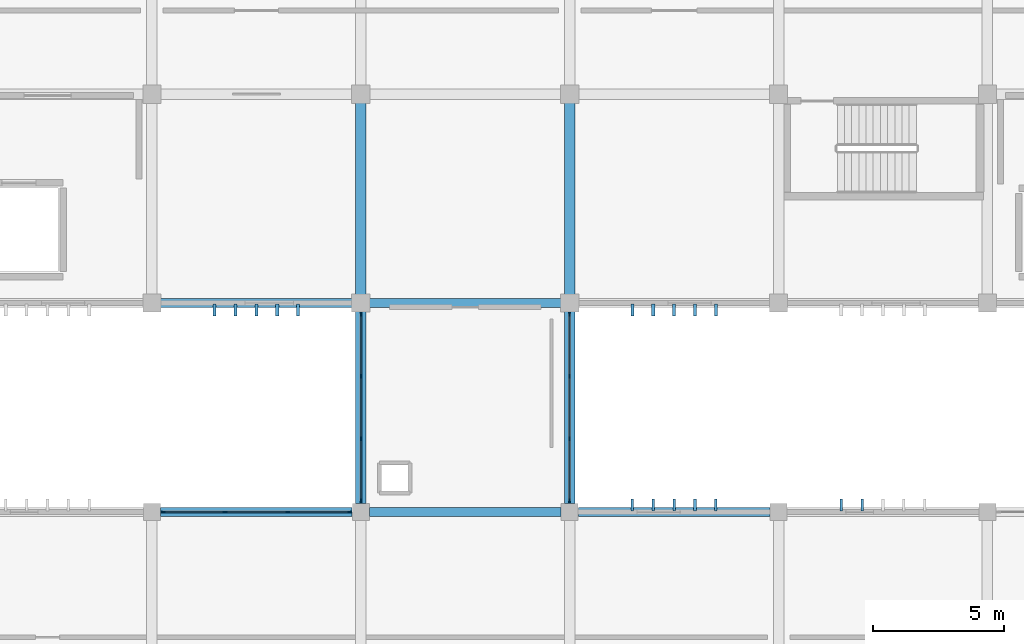
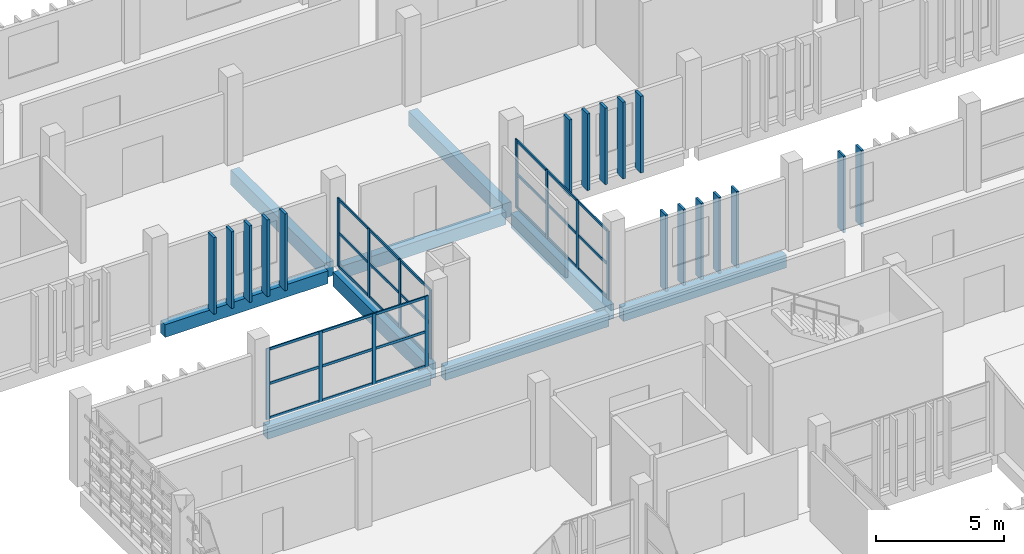
# One storey, part 46 of 83: 56 members, 9 beams, 3 elements without a shape of their own.
"""IFC4 building model written with IfcOpenShell, lengths in metres."""

from ifc_helpers import new_model, si_unit, direction, frame, origin, origin_2d, place, context, subcontext, project, spatial, rectangle, extrude, material, layer, layer_set, material_profile, profile_set, type_object, element, aggregate, save


model = new_model("IFC4")

# Units and contexts
model_context = context("Model", 3, precision=1e-05, world=origin(), true_north=direction((0.0, 1.0)))
body_context = subcontext(model_context, "Body", "Model", "MODEL_VIEW")
ifc_project = project(units=[si_unit("LENGTHUNIT", "METRE"), si_unit("AREAUNIT", "SQUARE_METRE"), si_unit("VOLUMEUNIT", "CUBIC_METRE"), si_unit("PLANEANGLEUNIT", "RADIAN"), si_unit("MASSUNIT", "GRAM", prefix="KILO")], contexts=[model_context])

# Site, building, storey
site_placement = place(None, origin())
site = spatial("IfcSite", under=ifc_project, at=site_placement, CompositionType="ELEMENT")
building_placement = place(site_placement, origin())
building = spatial("IfcBuilding", under=site, at=building_placement, Name="Jelvoka-Kovrelna Polytechnic", CompositionType="ELEMENT")
storey_placement = place(building_placement, frame((0.0, 0.0, 13.800048828125)))
storey = spatial("IfcBuildingStorey", under=building, at=storey_placement, Name="L04", CompositionType="ELEMENT", Elevation=13.800048828125)

# Beams
ifc_material_1 = material(Name="Concrete C40/50", Category="concrete")
ifc_material_profile_1 = material_profile(ifc_material_1, rectangle(XDim=0.39990234375, YDim=0.699951171875, at=origin_2d()), Name="RC 400x700")
ifc_profile_set_1 = profile_set([ifc_material_profile_1], Name="Concrete C40/50")
beam_type_1 = type_object("IfcBeamType", Name="Beam_RC_400x700", PredefinedType="BEAM", material=ifc_profile_set_1)
for number, where, z_axis, x_axis, name in (
    (1, (144.0, 56.330078125, -0.60009765625), (0.0, 1.0, 0.0), (-1.0, 0.0, 0.0), "L04 beam 1328"),
    (2, (152.0, 56.330078125, -0.60009765625), (0.0, 1.0, 0.0), (-1.0, 0.0, 0.0), "L04 beam 1330"),
    (3, (144.0, 48.330078125, -0.60009765625), (0.0, 1.0, 0.0), (-1.0, 0.0, 0.0), "L04 beam 1365"),
    (4, (152.0, 48.330078125, -0.60009765625), (0.0, 1.0, 0.0), (-1.0, 0.0, 0.0), "L04 beam 1366"),
):
    element("IfcBeam", number, at=place(storey_placement, frame(where, z_axis=z_axis, x_axis=x_axis)), inside=storey, type_object=beam_type_1, Name=name, PredefinedType="BEAM", context=body_context, shape_type="SweptSolid", body=[
        extrude(rectangle(XDim=0.39990234375, YDim=0.699951171875, at=origin_2d()), origin(), (0.0, 0.0, 1.0), 7.33984375),
    ])

# Members
ifc_material_2 = material(Name="Precast concrete C40/50", Category="concrete")
ifc_material_profile_2 = material_profile(ifc_material_2, rectangle(XDim=0.10009765625, YDim=0.449951171875, at=origin_2d()), Name="PC 100x450")
ifc_profile_set_2 = profile_set([ifc_material_profile_2], Name="Precast concrete C40/50")
member_type_1 = type_object("IfcMemberType", Name="Louvre_Fin_100x450", PredefinedType="USERDEFINED", material=ifc_profile_set_2)
for number, where, z_axis, x_axis, name in (
    (5, (154.39990234375, 48.264892578125, -0.27001953125), (0.0, 0.0, 1.0), (1.0, 0.0, 0.0), "L04 B2E north vertical solar louvre fin 0991"),
    (6, (155.199951171875, 48.264892578125, -0.27001953125), (0.0, 0.0, 1.0), (1.0, 0.0, 0.0), "L04 B2E north vertical solar louvre fin 0992"),
    (7, (156.0, 48.264892578125, -0.27001953125), (0.0, 0.0, 1.0), (1.0, 0.0, 0.0), "L04 B2E north vertical solar louvre fin 0993"),
    (8, (156.800048828125, 48.264892578125, -0.27001953125), (0.0, 0.0, 1.0), (1.0, 0.0, 0.0), "L04 B2E north vertical solar louvre fin 0994"),
    (9, (157.60009765625, 48.264892578125, -0.27001953125), (0.0, 0.0, 1.0), (1.0, 0.0, 0.0), "L04 B2E north vertical solar louvre fin 0995"),
    (10, (162.39990234375, 48.264892578125, -0.27001953125), (0.0, 0.0, 1.0), (1.0, 0.0, 0.0), "L04 B2E north vertical solar louvre fin 0996"),
    (11, (163.199951171875, 48.264892578125, -0.27001953125), (0.0, 0.0, 1.0), (1.0, 0.0, 0.0), "L04 B2E north vertical solar louvre fin 0997"),
):
    element("IfcMember", number, at=place(storey_placement, frame(where, z_axis=z_axis, x_axis=x_axis)), inside=storey, type_object=member_type_1, Name=name, ObjectType="SUNSHADE", PredefinedType="USERDEFINED", context=body_context, shape_type="SweptSolid", body=[
        extrude(rectangle(XDim=0.10009765625, YDim=0.449951171875, at=origin_2d()), origin(), (0.0, 0.0, 1.0), 3.64501953125),
    ])
ifc_material_3 = material(Name="Precast concrete C40/50", Category="concrete")
ifc_material_profile_3 = material_profile(ifc_material_3, rectangle(XDim=0.1201171875, YDim=0.449951171875, at=origin_2d()), Name="PC 120x450")
ifc_profile_set_3 = profile_set([ifc_material_profile_3], Name="Precast concrete C40/50")
member_type_2 = type_object("IfcMemberType", Name="Louvre_Fin_120x450", PredefinedType="USERDEFINED", material=ifc_profile_set_3)
for number, where, z_axis, x_axis, name in (
    (12, (138.39990234375, 55.735107421875, -0.27001953125), (0.0, 0.0, 1.0), (1.0, 0.0, 0.0), "L04 B3 south vertical solar louvre fin 1716"),
    (13, (139.199951171875, 55.735107421875, -0.27001953125), (0.0, 0.0, 1.0), (1.0, 0.0, 0.0), "L04 B3 south vertical solar louvre fin 1717"),
    (14, (140.0, 55.735107421875, -0.27001953125), (0.0, 0.0, 1.0), (1.0, 0.0, 0.0), "L04 B3 south vertical solar louvre fin 1718"),
    (15, (140.800048828125, 55.735107421875, -0.27001953125), (0.0, 0.0, 1.0), (1.0, 0.0, 0.0), "L04 B3 south vertical solar louvre fin 1719"),
    (16, (141.60009765625, 55.735107421875, -0.27001953125), (0.0, 0.0, 1.0), (1.0, 0.0, 0.0), "L04 B3 south vertical solar louvre fin 1720"),
    (17, (154.39990234375, 55.735107421875, -0.27001953125), (0.0, 0.0, 1.0), (1.0, 0.0, 0.0), "L04 B3 south vertical solar louvre fin 1731"),
    (18, (155.199951171875, 55.735107421875, -0.27001953125), (0.0, 0.0, 1.0), (1.0, 0.0, 0.0), "L04 B3 south vertical solar louvre fin 1732"),
    (19, (156.0, 55.735107421875, -0.27001953125), (0.0, 0.0, 1.0), (1.0, 0.0, 0.0), "L04 B3 south vertical solar louvre fin 1733"),
    (20, (156.800048828125, 55.735107421875, -0.27001953125), (0.0, 0.0, 1.0), (1.0, 0.0, 0.0), "L04 B3 south vertical solar louvre fin 1734"),
    (21, (157.60009765625, 55.735107421875, -0.27001953125), (0.0, 0.0, 1.0), (1.0, 0.0, 0.0), "L04 B3 south vertical solar louvre fin 1735"),
):
    element("IfcMember", number, at=place(storey_placement, frame(where, z_axis=z_axis, x_axis=x_axis)), inside=storey, type_object=member_type_2, Name=name, ObjectType="SUNSHADE", PredefinedType="USERDEFINED", context=body_context, shape_type="SweptSolid", body=[
        extrude(rectangle(XDim=0.1201171875, YDim=0.449951171875, at=origin_2d()), origin(), (0.0, 0.0, 1.0), 3.64501953125),
    ])

# Curtain wall, members
ifc_material_4 = material(Name="Anodised aluminium 6063-T6", Category="aluminium")
ifc_layer_1 = layer(ifc_material_4, 0.159912109375)
ifc_layer_set_1 = layer_set([ifc_layer_1], Name="Anodised aluminium 6063-T6")
curtain_wall_type_1 = type_object("IfcCurtainWallType", Name="CW_Recessed_A", PredefinedType="NOTDEFINED", material=ifc_layer_set_1)
curtain_wall_1_placement = place(storey_placement, origin())
curtain_wall_1 = element("IfcCurtainWall", 22, at=curtain_wall_1_placement, inside=storey, type_object=curtain_wall_type_1, Name="L04 glazed curtain wall 063", PredefinedType="NOTDEFINED")
ifc_material_5 = material(Name="Anodised aluminium 6063-T6", Category="aluminium")
ifc_material_profile_4 = material_profile(ifc_material_5, rectangle(XDim=0.06005859375, YDim=0.159912109375, at=origin_2d()), Name="ALU 60x160")
ifc_profile_set_4 = profile_set([ifc_material_profile_4], Name="Anodised aluminium 6063-T6")
member_type_3 = type_object("IfcMemberType", Name="Mullion_M-01", PredefinedType="MULLION", material=ifc_profile_set_4)
member_1_placement = place(storey_placement, frame((136.429931640625, 48.0, -0.02490234375), z_axis=(0.0, 0.0, 1.0), x_axis=(0.0, 1.0, 0.0)))
member_1 = element("IfcMember", 23, at=member_1_placement, type_object=member_type_3, Name="CW-01 mullion 1", PredefinedType="MULLION", context=body_context, shape_type="SweptSolid", body=[
    extrude(rectangle(XDim=0.06005859375, YDim=0.159912109375, at=origin_2d()), origin(), (0.0, 0.0, 1.0), 3.375),
])
member_2_placement = place(storey_placement, frame((138.800048828125, 48.0, -0.02490234375), z_axis=(0.0, 0.0, 1.0), x_axis=(0.0, 1.0, 0.0)))
member_2 = element("IfcMember", 24, at=member_2_placement, type_object=member_type_3, Name="CW-01 mullion 2", PredefinedType="MULLION", context=body_context, shape_type="SweptSolid", body=[
    extrude(rectangle(XDim=0.06005859375, YDim=0.159912109375, at=origin_2d()), origin(), (0.0, 0.0, 1.0), 3.375),
])
member_3_placement = place(storey_placement, frame((141.199951171875, 48.0, -0.02490234375), z_axis=(0.0, 0.0, 1.0), x_axis=(0.0, 1.0, 0.0)))
member_3 = element("IfcMember", 25, at=member_3_placement, type_object=member_type_3, Name="CW-01 mullion 3", PredefinedType="MULLION", context=body_context, shape_type="SweptSolid", body=[
    extrude(rectangle(XDim=0.06005859375, YDim=0.159912109375, at=origin_2d()), origin(), (0.0, 0.0, 1.0), 3.375),
])
member_4_placement = place(storey_placement, frame((143.570068359375, 48.0, -0.02490234375), z_axis=(0.0, 0.0, 1.0), x_axis=(0.0, 1.0, 0.0)))
member_4 = element("IfcMember", 26, at=member_4_placement, type_object=member_type_3, Name="CW-01 mullion 4", PredefinedType="MULLION", context=body_context, shape_type="SweptSolid", body=[
    extrude(rectangle(XDim=0.06005859375, YDim=0.159912109375, at=origin_2d()), origin(), (0.0, 0.0, 1.0), 3.375),
])

ifc_material_6 = material(Name="Anodised aluminium 6063-T6", Category="aluminium")
ifc_layer_2 = layer(ifc_material_6, 0.159912109375)
ifc_layer_set_2 = layer_set([ifc_layer_2], Name="Anodised aluminium 6063-T6")
curtain_wall_type_2 = type_object("IfcCurtainWallType", Name="CW_LinkBridge", PredefinedType="NOTDEFINED", material=ifc_layer_set_2)
curtain_wall_2_placement = place(storey_placement, origin())
curtain_wall_2 = element("IfcCurtainWall", 27, at=curtain_wall_2_placement, inside=storey, type_object=curtain_wall_type_2, Name="L04 glazed curtain wall 132", PredefinedType="NOTDEFINED")
ifc_material_7 = material(Name="Anodised aluminium 6063-T6", Category="aluminium")
ifc_material_profile_5 = material_profile(ifc_material_7, rectangle(XDim=0.06005859375, YDim=0.159912109375, at=origin_2d()), Name="ALU 60x160")
ifc_profile_set_5 = profile_set([ifc_material_profile_5], Name="Anodised aluminium 6063-T6")
member_type_4 = type_object("IfcMemberType", Name="Mullion_M-04", PredefinedType="MULLION", material=ifc_profile_set_5)
member_5_placement = place(storey_placement, frame((144.0, 48.429931640625, -0.02490234375), z_axis=(0.0, 0.0, 1.0), x_axis=(-1.0, 0.0, 0.0)))
member_5 = element("IfcMember", 28, at=member_5_placement, type_object=member_type_4, Name="CW-04 mullion 1", PredefinedType="MULLION", context=body_context, shape_type="SweptSolid", body=[
    extrude(rectangle(XDim=0.06005859375, YDim=0.159912109375, at=origin_2d()), origin(), (0.0, 0.0, 1.0), 3.27490234375),
])
member_6_placement = place(storey_placement, frame((144.0, 50.800048828125, -0.02490234375), z_axis=(0.0, 0.0, 1.0), x_axis=(-1.0, 0.0, 0.0)))
member_6 = element("IfcMember", 29, at=member_6_placement, type_object=member_type_4, Name="CW-04 mullion 2", PredefinedType="MULLION", context=body_context, shape_type="SweptSolid", body=[
    extrude(rectangle(XDim=0.06005859375, YDim=0.159912109375, at=origin_2d()), origin(), (0.0, 0.0, 1.0), 3.27490234375),
])
member_7_placement = place(storey_placement, frame((144.0, 53.199951171875, -0.02490234375), z_axis=(0.0, 0.0, 1.0), x_axis=(-1.0, 0.0, 0.0)))
member_7 = element("IfcMember", 30, at=member_7_placement, type_object=member_type_4, Name="CW-04 mullion 3", PredefinedType="MULLION", context=body_context, shape_type="SweptSolid", body=[
    extrude(rectangle(XDim=0.06005859375, YDim=0.159912109375, at=origin_2d()), origin(), (0.0, 0.0, 1.0), 3.27490234375),
])
member_8_placement = place(storey_placement, frame((144.0, 55.570068359375, -0.02490234375), z_axis=(0.0, 0.0, 1.0), x_axis=(-1.0, 0.0, 0.0)))
member_8 = element("IfcMember", 31, at=member_8_placement, type_object=member_type_4, Name="CW-04 mullion 4", PredefinedType="MULLION", context=body_context, shape_type="SweptSolid", body=[
    extrude(rectangle(XDim=0.06005859375, YDim=0.159912109375, at=origin_2d()), origin(), (0.0, 0.0, 1.0), 3.27490234375),
])

curtain_wall_3_placement = place(storey_placement, origin())
curtain_wall_3 = element("IfcCurtainWall", 32, at=curtain_wall_3_placement, inside=storey, type_object=curtain_wall_type_2, Name="L04 glazed curtain wall 133", PredefinedType="NOTDEFINED")
member_9_placement = place(storey_placement, frame((152.0, 55.570068359375, -0.02490234375), z_axis=(0.0, 0.0, 1.0), x_axis=(1.0, 0.0, 0.0)))
member_9 = element("IfcMember", 33, at=member_9_placement, type_object=member_type_4, Name="CW-04 mullion 1", PredefinedType="MULLION", context=body_context, shape_type="SweptSolid", body=[
    extrude(rectangle(XDim=0.06005859375, YDim=0.159912109375, at=origin_2d()), origin(), (0.0, 0.0, 1.0), 3.27490234375),
])
member_10_placement = place(storey_placement, frame((152.0, 53.199951171875, -0.02490234375), z_axis=(0.0, 0.0, 1.0), x_axis=(1.0, 0.0, 0.0)))
member_10 = element("IfcMember", 34, at=member_10_placement, type_object=member_type_4, Name="CW-04 mullion 2", PredefinedType="MULLION", context=body_context, shape_type="SweptSolid", body=[
    extrude(rectangle(XDim=0.06005859375, YDim=0.159912109375, at=origin_2d()), origin(), (0.0, 0.0, 1.0), 3.27490234375),
])
member_11_placement = place(storey_placement, frame((152.0, 50.800048828125, -0.02490234375), z_axis=(0.0, 0.0, 1.0), x_axis=(1.0, 0.0, 0.0)))
member_11 = element("IfcMember", 35, at=member_11_placement, type_object=member_type_4, Name="CW-04 mullion 3", PredefinedType="MULLION", context=body_context, shape_type="SweptSolid", body=[
    extrude(rectangle(XDim=0.06005859375, YDim=0.159912109375, at=origin_2d()), origin(), (0.0, 0.0, 1.0), 3.27490234375),
])
member_12_placement = place(storey_placement, frame((152.0, 48.429931640625, -0.02490234375), z_axis=(0.0, 0.0, 1.0), x_axis=(1.0, 0.0, 0.0)))
member_12 = element("IfcMember", 36, at=member_12_placement, type_object=member_type_4, Name="CW-04 mullion 4", PredefinedType="MULLION", context=body_context, shape_type="SweptSolid", body=[
    extrude(rectangle(XDim=0.06005859375, YDim=0.159912109375, at=origin_2d()), origin(), (0.0, 0.0, 1.0), 3.27490234375),
])

# Beams
ifc_material_8 = material(Name="Concrete C40/50", Category="concrete")
ifc_material_profile_6 = material_profile(ifc_material_8, rectangle(XDim=0.35009765625, YDim=0.60009765625, at=origin_2d()), Name="RC 350x600")
ifc_profile_set_6 = profile_set([ifc_material_profile_6], Name="Concrete C40/50")
beam_type_2 = type_object("IfcBeamType", Name="Spandrel_RC_350x600", PredefinedType="SPANDREL", material=ifc_profile_set_6)
for number, where, z_axis, x_axis, name in (
    (37, (136.330078125, 48.0, -0.550048828125), (1.0, 0.0, 0.0), (0.0, 1.0, 0.0), "L04 beam 1230"),
    (38, (144.330078125, 48.0, -0.550048828125), (1.0, 0.0, 0.0), (0.0, 1.0, 0.0), "L04 beam 1231"),
    (39, (152.330078125, 48.0, -0.550048828125), (1.0, 0.0, 0.0), (0.0, 1.0, 0.0), "L04 beam 1232"),
    (40, (136.330078125, 56.0, -0.550048828125), (1.0, 0.0, 0.0), (0.0, 1.0, 0.0), "L04 beam 1297"),
    (41, (144.330078125, 56.0, -0.550048828125), (1.0, 0.0, 0.0), (0.0, 1.0, 0.0), "L04 beam 1298"),
):
    element("IfcBeam", number, at=place(storey_placement, frame(where, z_axis=z_axis, x_axis=x_axis)), inside=storey, type_object=beam_type_2, Name=name, PredefinedType="SPANDREL", context=body_context, shape_type="SweptSolid", body=[
        extrude(rectangle(XDim=0.35009765625, YDim=0.60009765625, at=origin_2d()), origin(), (0.0, 0.0, 1.0), 7.33984375),
    ])

# Member
ifc_material_9 = material(Name="Anodised aluminium 6063-T6", Category="aluminium")
ifc_material_profile_7 = material_profile(ifc_material_9, rectangle(XDim=0.06005859375, YDim=0.1201171875, at=origin_2d()), Name="ALU 60x120")
ifc_profile_set_7 = profile_set([ifc_material_profile_7], Name="Anodised aluminium 6063-T6")
member_type_5 = type_object("IfcMemberType", Name="Transom_T-01", PredefinedType="USERDEFINED", material=ifc_profile_set_7)
member_13_placement = place(storey_placement, frame((136.4599609375, 48.0, 0.030029296875), z_axis=(1.0, 0.0, 0.0), x_axis=(0.0, 1.0, 0.0)))
member_13 = element("IfcMember", 42, at=member_13_placement, type_object=member_type_5, Name="CW-01 transom 1.1", ObjectType="TRANSOM", PredefinedType="USERDEFINED", context=body_context, shape_type="SweptSolid", body=[
    extrude(rectangle(XDim=0.06005859375, YDim=0.1201171875, at=origin_2d()), origin(), (0.0, 0.0, 1.0), 2.31005859375),
])

member_14_placement = place(storey_placement, frame((136.4599609375, 48.0, 1.662353515625), z_axis=(1.0, 0.0, 0.0), x_axis=(0.0, 1.0, 0.0)))
member_14 = element("IfcMember", 43, at=member_14_placement, type_object=member_type_5, Name="CW-01 transom 1.2", ObjectType="TRANSOM", PredefinedType="USERDEFINED", context=body_context, shape_type="SweptSolid", body=[
    extrude(rectangle(XDim=0.06005859375, YDim=0.1201171875, at=origin_2d()), origin(), (0.0, 0.0, 1.0), 2.31005859375),
])

member_15_placement = place(storey_placement, frame((136.4599609375, 48.0, 3.294921875), z_axis=(1.0, 0.0, 0.0), x_axis=(0.0, 1.0, 0.0)))
member_15 = element("IfcMember", 44, at=member_15_placement, type_object=member_type_5, Name="CW-01 transom 1.3", ObjectType="TRANSOM", PredefinedType="USERDEFINED", context=body_context, shape_type="SweptSolid", body=[
    extrude(rectangle(XDim=0.06005859375, YDim=0.1201171875, at=origin_2d()), origin(), (0.0, 0.0, 1.0), 2.31005859375),
])

member_16_placement = place(storey_placement, frame((138.830078125, 48.0, 0.030029296875), z_axis=(1.0, 0.0, 0.0), x_axis=(0.0, 1.0, 0.0)))
member_16 = element("IfcMember", 45, at=member_16_placement, type_object=member_type_5, Name="CW-01 transom 2.1", ObjectType="TRANSOM", PredefinedType="USERDEFINED", context=body_context, shape_type="SweptSolid", body=[
    extrude(rectangle(XDim=0.06005859375, YDim=0.1201171875, at=origin_2d()), origin(), (0.0, 0.0, 1.0), 2.33984375),
])

member_17_placement = place(storey_placement, frame((138.830078125, 48.0, 1.662353515625), z_axis=(1.0, 0.0, 0.0), x_axis=(0.0, 1.0, 0.0)))
member_17 = element("IfcMember", 46, at=member_17_placement, type_object=member_type_5, Name="CW-01 transom 2.2", ObjectType="TRANSOM", PredefinedType="USERDEFINED", context=body_context, shape_type="SweptSolid", body=[
    extrude(rectangle(XDim=0.06005859375, YDim=0.1201171875, at=origin_2d()), origin(), (0.0, 0.0, 1.0), 2.33984375),
])

member_18_placement = place(storey_placement, frame((138.830078125, 48.0, 3.294921875), z_axis=(1.0, 0.0, 0.0), x_axis=(0.0, 1.0, 0.0)))
member_18 = element("IfcMember", 47, at=member_18_placement, type_object=member_type_5, Name="CW-01 transom 2.3", ObjectType="TRANSOM", PredefinedType="USERDEFINED", context=body_context, shape_type="SweptSolid", body=[
    extrude(rectangle(XDim=0.06005859375, YDim=0.1201171875, at=origin_2d()), origin(), (0.0, 0.0, 1.0), 2.33984375),
])

member_19_placement = place(storey_placement, frame((141.22998046875, 48.0, 0.030029296875), z_axis=(1.0, 0.0, 0.0), x_axis=(0.0, 1.0, 0.0)))
member_19 = element("IfcMember", 48, at=member_19_placement, type_object=member_type_5, Name="CW-01 transom 3.1", ObjectType="TRANSOM", PredefinedType="USERDEFINED", context=body_context, shape_type="SweptSolid", body=[
    extrude(rectangle(XDim=0.06005859375, YDim=0.1201171875, at=origin_2d()), origin(), (0.0, 0.0, 1.0), 2.31005859375),
])

member_20_placement = place(storey_placement, frame((141.22998046875, 48.0, 1.662353515625), z_axis=(1.0, 0.0, 0.0), x_axis=(0.0, 1.0, 0.0)))
member_20 = element("IfcMember", 49, at=member_20_placement, type_object=member_type_5, Name="CW-01 transom 3.2", ObjectType="TRANSOM", PredefinedType="USERDEFINED", context=body_context, shape_type="SweptSolid", body=[
    extrude(rectangle(XDim=0.06005859375, YDim=0.1201171875, at=origin_2d()), origin(), (0.0, 0.0, 1.0), 2.31005859375),
])

member_21_placement = place(storey_placement, frame((141.22998046875, 48.0, 3.294921875), z_axis=(1.0, 0.0, 0.0), x_axis=(0.0, 1.0, 0.0)))
member_21 = element("IfcMember", 50, at=member_21_placement, type_object=member_type_5, Name="CW-01 transom 3.3", ObjectType="TRANSOM", PredefinedType="USERDEFINED", context=body_context, shape_type="SweptSolid", body=[
    extrude(rectangle(XDim=0.06005859375, YDim=0.1201171875, at=origin_2d()), origin(), (0.0, 0.0, 1.0), 2.31005859375),
])

aggregate(curtain_wall_1, [member_1, member_2, member_3, member_4, member_13, member_14, member_15, member_16, member_17, member_18, member_19, member_20, member_21])

ifc_material_10 = material(Name="Anodised aluminium 6063-T6", Category="aluminium")
ifc_material_profile_8 = material_profile(ifc_material_10, rectangle(XDim=0.06005859375, YDim=0.1201171875, at=origin_2d()), Name="ALU 60x120")
ifc_profile_set_8 = profile_set([ifc_material_profile_8], Name="Anodised aluminium 6063-T6")
member_type_6 = type_object("IfcMemberType", Name="Transom_T-04", PredefinedType="USERDEFINED", material=ifc_profile_set_8)
member_22_placement = place(storey_placement, frame((144.0, 48.4599609375, 0.030029296875), z_axis=(0.0, 1.0, 0.0), x_axis=(-1.0, 0.0, 0.0)))
member_22 = element("IfcMember", 51, at=member_22_placement, type_object=member_type_6, Name="CW-04 transom 1.1", ObjectType="TRANSOM", PredefinedType="USERDEFINED", context=body_context, shape_type="SweptSolid", body=[
    extrude(rectangle(XDim=0.06005859375, YDim=0.1201171875, at=origin_2d()), origin(), (0.0, 0.0, 1.0), 2.31005859375),
])

member_23_placement = place(storey_placement, frame((144.0, 48.4599609375, 1.612548828125), z_axis=(0.0, 1.0, 0.0), x_axis=(-1.0, 0.0, 0.0)))
member_23 = element("IfcMember", 52, at=member_23_placement, type_object=member_type_6, Name="CW-04 transom 1.2", ObjectType="TRANSOM", PredefinedType="USERDEFINED", context=body_context, shape_type="SweptSolid", body=[
    extrude(rectangle(XDim=0.06005859375, YDim=0.1201171875, at=origin_2d()), origin(), (0.0, 0.0, 1.0), 2.31005859375),
])

member_24_placement = place(storey_placement, frame((144.0, 48.4599609375, 3.195068359375), z_axis=(0.0, 1.0, 0.0), x_axis=(-1.0, 0.0, 0.0)))
member_24 = element("IfcMember", 53, at=member_24_placement, type_object=member_type_6, Name="CW-04 transom 1.3", ObjectType="TRANSOM", PredefinedType="USERDEFINED", context=body_context, shape_type="SweptSolid", body=[
    extrude(rectangle(XDim=0.06005859375, YDim=0.1201171875, at=origin_2d()), origin(), (0.0, 0.0, 1.0), 2.31005859375),
])

member_25_placement = place(storey_placement, frame((144.0, 50.830078125, 0.030029296875), z_axis=(0.0, 1.0, 0.0), x_axis=(-1.0, 0.0, 0.0)))
member_25 = element("IfcMember", 54, at=member_25_placement, type_object=member_type_6, Name="CW-04 transom 2.1", ObjectType="TRANSOM", PredefinedType="USERDEFINED", context=body_context, shape_type="SweptSolid", body=[
    extrude(rectangle(XDim=0.06005859375, YDim=0.1201171875, at=origin_2d()), origin(), (0.0, 0.0, 1.0), 2.33984375),
])

member_26_placement = place(storey_placement, frame((144.0, 50.830078125, 1.612548828125), z_axis=(0.0, 1.0, 0.0), x_axis=(-1.0, 0.0, 0.0)))
member_26 = element("IfcMember", 55, at=member_26_placement, type_object=member_type_6, Name="CW-04 transom 2.2", ObjectType="TRANSOM", PredefinedType="USERDEFINED", context=body_context, shape_type="SweptSolid", body=[
    extrude(rectangle(XDim=0.06005859375, YDim=0.1201171875, at=origin_2d()), origin(), (0.0, 0.0, 1.0), 2.33984375),
])

member_27_placement = place(storey_placement, frame((144.0, 50.830078125, 3.195068359375), z_axis=(0.0, 1.0, 0.0), x_axis=(-1.0, 0.0, 0.0)))
member_27 = element("IfcMember", 56, at=member_27_placement, type_object=member_type_6, Name="CW-04 transom 2.3", ObjectType="TRANSOM", PredefinedType="USERDEFINED", context=body_context, shape_type="SweptSolid", body=[
    extrude(rectangle(XDim=0.06005859375, YDim=0.1201171875, at=origin_2d()), origin(), (0.0, 0.0, 1.0), 2.33984375),
])

member_28_placement = place(storey_placement, frame((144.0, 53.22998046875, 0.030029296875), z_axis=(0.0, 1.0, 0.0), x_axis=(-1.0, 0.0, 0.0)))
member_28 = element("IfcMember", 57, at=member_28_placement, type_object=member_type_6, Name="CW-04 transom 3.1", ObjectType="TRANSOM", PredefinedType="USERDEFINED", context=body_context, shape_type="SweptSolid", body=[
    extrude(rectangle(XDim=0.06005859375, YDim=0.1201171875, at=origin_2d()), origin(), (0.0, 0.0, 1.0), 2.31005859375),
])

member_29_placement = place(storey_placement, frame((144.0, 53.22998046875, 1.612548828125), z_axis=(0.0, 1.0, 0.0), x_axis=(-1.0, 0.0, 0.0)))
member_29 = element("IfcMember", 58, at=member_29_placement, type_object=member_type_6, Name="CW-04 transom 3.2", ObjectType="TRANSOM", PredefinedType="USERDEFINED", context=body_context, shape_type="SweptSolid", body=[
    extrude(rectangle(XDim=0.06005859375, YDim=0.1201171875, at=origin_2d()), origin(), (0.0, 0.0, 1.0), 2.31005859375),
])

member_30_placement = place(storey_placement, frame((144.0, 53.22998046875, 3.195068359375), z_axis=(0.0, 1.0, 0.0), x_axis=(-1.0, 0.0, 0.0)))
member_30 = element("IfcMember", 59, at=member_30_placement, type_object=member_type_6, Name="CW-04 transom 3.3", ObjectType="TRANSOM", PredefinedType="USERDEFINED", context=body_context, shape_type="SweptSolid", body=[
    extrude(rectangle(XDim=0.06005859375, YDim=0.1201171875, at=origin_2d()), origin(), (0.0, 0.0, 1.0), 2.31005859375),
])

aggregate(curtain_wall_2, [member_5, member_6, member_7, member_8, member_22, member_23, member_24, member_25, member_26, member_27, member_28, member_29, member_30])

member_31_placement = place(storey_placement, frame((152.0, 55.5400390625, 0.030029296875), z_axis=(0.0, -1.0, 0.0), x_axis=(1.0, 0.0, 0.0)))
member_31 = element("IfcMember", 60, at=member_31_placement, type_object=member_type_6, Name="CW-04 transom 1.1", ObjectType="TRANSOM", PredefinedType="USERDEFINED", context=body_context, shape_type="SweptSolid", body=[
    extrude(rectangle(XDim=0.06005859375, YDim=0.1201171875, at=origin_2d()), origin(), (0.0, 0.0, 1.0), 2.31005859375),
])

member_32_placement = place(storey_placement, frame((152.0, 55.5400390625, 1.612548828125), z_axis=(0.0, -1.0, 0.0), x_axis=(1.0, 0.0, 0.0)))
member_32 = element("IfcMember", 61, at=member_32_placement, type_object=member_type_6, Name="CW-04 transom 1.2", ObjectType="TRANSOM", PredefinedType="USERDEFINED", context=body_context, shape_type="SweptSolid", body=[
    extrude(rectangle(XDim=0.06005859375, YDim=0.1201171875, at=origin_2d()), origin(), (0.0, 0.0, 1.0), 2.31005859375),
])

member_33_placement = place(storey_placement, frame((152.0, 55.5400390625, 3.195068359375), z_axis=(0.0, -1.0, 0.0), x_axis=(1.0, 0.0, 0.0)))
member_33 = element("IfcMember", 62, at=member_33_placement, type_object=member_type_6, Name="CW-04 transom 1.3", ObjectType="TRANSOM", PredefinedType="USERDEFINED", context=body_context, shape_type="SweptSolid", body=[
    extrude(rectangle(XDim=0.06005859375, YDim=0.1201171875, at=origin_2d()), origin(), (0.0, 0.0, 1.0), 2.31005859375),
])

member_34_placement = place(storey_placement, frame((152.0, 53.169921875, 0.030029296875), z_axis=(0.0, -1.0, 0.0), x_axis=(1.0, 0.0, 0.0)))
member_34 = element("IfcMember", 63, at=member_34_placement, type_object=member_type_6, Name="CW-04 transom 2.1", ObjectType="TRANSOM", PredefinedType="USERDEFINED", context=body_context, shape_type="SweptSolid", body=[
    extrude(rectangle(XDim=0.06005859375, YDim=0.1201171875, at=origin_2d()), origin(), (0.0, 0.0, 1.0), 2.33984375),
])

member_35_placement = place(storey_placement, frame((152.0, 53.169921875, 1.612548828125), z_axis=(0.0, -1.0, 0.0), x_axis=(1.0, 0.0, 0.0)))
member_35 = element("IfcMember", 64, at=member_35_placement, type_object=member_type_6, Name="CW-04 transom 2.2", ObjectType="TRANSOM", PredefinedType="USERDEFINED", context=body_context, shape_type="SweptSolid", body=[
    extrude(rectangle(XDim=0.06005859375, YDim=0.1201171875, at=origin_2d()), origin(), (0.0, 0.0, 1.0), 2.33984375),
])

member_36_placement = place(storey_placement, frame((152.0, 53.169921875, 3.195068359375), z_axis=(0.0, -1.0, 0.0), x_axis=(1.0, 0.0, 0.0)))
member_36 = element("IfcMember", 65, at=member_36_placement, type_object=member_type_6, Name="CW-04 transom 2.3", ObjectType="TRANSOM", PredefinedType="USERDEFINED", context=body_context, shape_type="SweptSolid", body=[
    extrude(rectangle(XDim=0.06005859375, YDim=0.1201171875, at=origin_2d()), origin(), (0.0, 0.0, 1.0), 2.33984375),
])

member_37_placement = place(storey_placement, frame((152.0, 50.77001953125, 0.030029296875), z_axis=(0.0, -1.0, 0.0), x_axis=(1.0, 0.0, 0.0)))
member_37 = element("IfcMember", 66, at=member_37_placement, type_object=member_type_6, Name="CW-04 transom 3.1", ObjectType="TRANSOM", PredefinedType="USERDEFINED", context=body_context, shape_type="SweptSolid", body=[
    extrude(rectangle(XDim=0.06005859375, YDim=0.1201171875, at=origin_2d()), origin(), (0.0, 0.0, 1.0), 2.31005859375),
])

member_38_placement = place(storey_placement, frame((152.0, 50.77001953125, 1.612548828125), z_axis=(0.0, -1.0, 0.0), x_axis=(1.0, 0.0, 0.0)))
member_38 = element("IfcMember", 67, at=member_38_placement, type_object=member_type_6, Name="CW-04 transom 3.2", ObjectType="TRANSOM", PredefinedType="USERDEFINED", context=body_context, shape_type="SweptSolid", body=[
    extrude(rectangle(XDim=0.06005859375, YDim=0.1201171875, at=origin_2d()), origin(), (0.0, 0.0, 1.0), 2.31005859375),
])

member_39_placement = place(storey_placement, frame((152.0, 50.77001953125, 3.195068359375), z_axis=(0.0, -1.0, 0.0), x_axis=(1.0, 0.0, 0.0)))
member_39 = element("IfcMember", 68, at=member_39_placement, type_object=member_type_6, Name="CW-04 transom 3.3", ObjectType="TRANSOM", PredefinedType="USERDEFINED", context=body_context, shape_type="SweptSolid", body=[
    extrude(rectangle(XDim=0.06005859375, YDim=0.1201171875, at=origin_2d()), origin(), (0.0, 0.0, 1.0), 2.31005859375),
])

aggregate(curtain_wall_3, [member_9, member_10, member_11, member_12, member_31, member_32, member_33, member_34, member_35, member_36, member_37, member_38, member_39])

save(model, "model.ifc")
